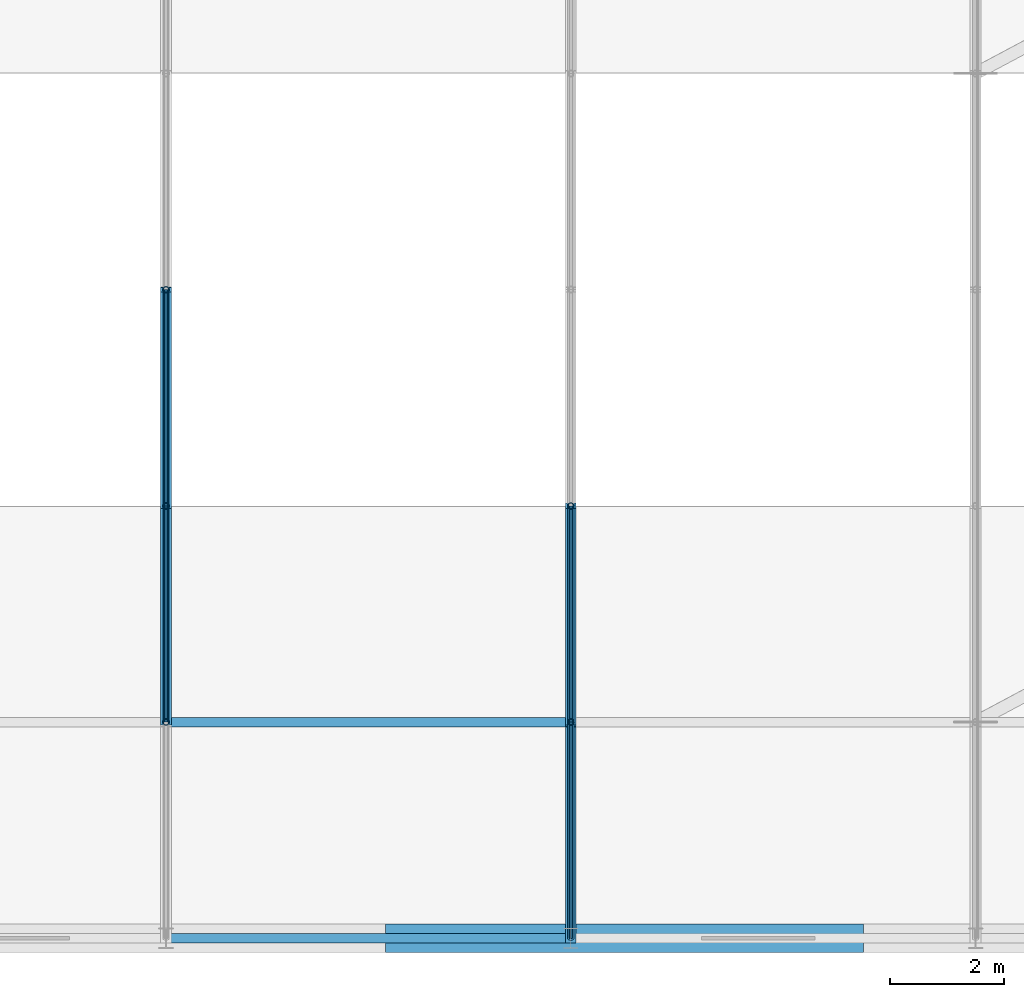
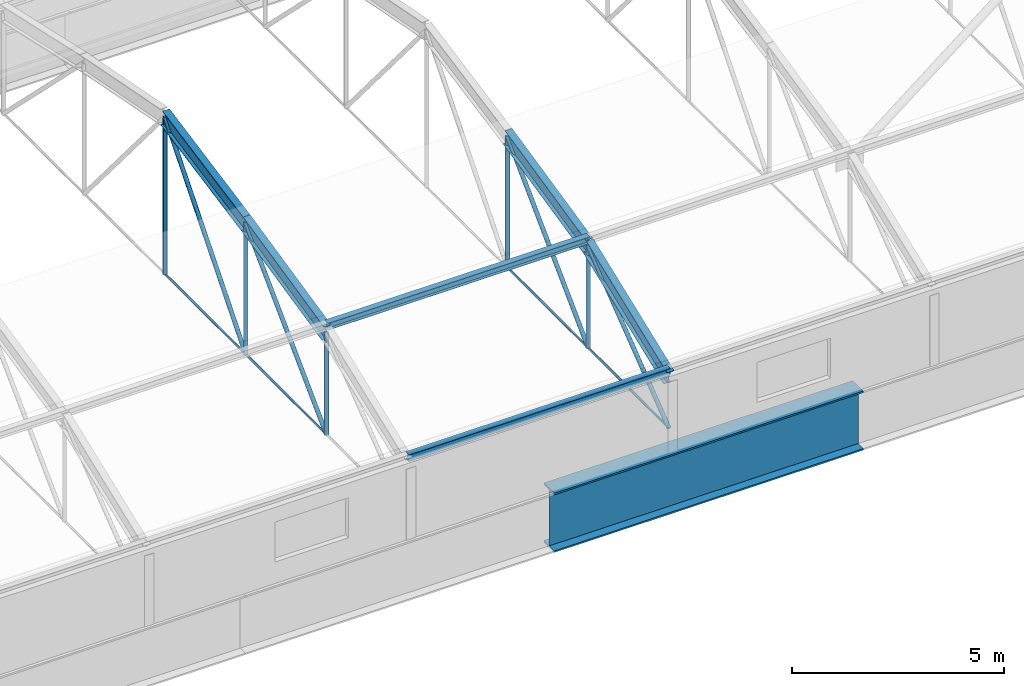
# One storey, part 12 of 53: 15 members, 5 beams.
"""IFC4 building model written with IfcOpenShell, lengths in metres."""

from ifc_helpers import new_model, si_unit, direction, frame, origin_with_axes, origin_2d_with_axis, place, context, subcontext, project, spatial, circle, hollow_circle, i_section, extrude, material, material_profile, profile_set, type_object, element, save


model = new_model("IFC4")

# Units and contexts
model_context = context("Model", 3, precision=1e-05, world=origin_with_axes(), true_north=direction((0.0, 1.0)))
body_context = subcontext(model_context, "Body", "Model", "MODEL_VIEW")
ifc_project = project(units=[si_unit("LENGTHUNIT", "METRE"), si_unit("AREAUNIT", "SQUARE_METRE"), si_unit("VOLUMEUNIT", "CUBIC_METRE"), si_unit("PLANEANGLEUNIT", "RADIAN"), si_unit("MASSUNIT", "GRAM", prefix="KILO"), si_unit("THERMODYNAMICTEMPERATUREUNIT", "KELVIN")], contexts=[model_context])

# Site, building, storey
site_placement = place(None, origin_with_axes())
site = spatial("IfcSite", under=ifc_project, at=site_placement, CompositionType="ELEMENT")
building_placement = place(site_placement, origin_with_axes())
building = spatial("IfcBuilding", under=site, at=building_placement, Name="Montbau Bow Law Courts", CompositionType="ELEMENT")
storey_placement = place(building_placement, frame((0.0, 0.0, 39.0), z_axis=(0.0, 0.0, 1.0), x_axis=(1.0, 0.0, 0.0)))
storey = spatial("IfcBuildingStorey", under=building, at=storey_placement, Name="L08", CompositionType="ELEMENT", Elevation=39.0)

# Beams
ifc_material = material(Name="Steel CSA G40.21 Grade 350WT (350 MPa)", Category="steel")
ifc_material_profile_1 = material_profile(ifc_material, i_section(OverallWidth=0.191, OverallDepth=0.46, WebThickness=0.0099, FlangeThickness=0.016, at=origin_2d_with_axis()), Name="W460X82", Category="Main", Priority=0)
ifc_profile_set_1 = profile_set([ifc_material_profile_1], Name="Steel CSA G40.21 Grade 350WT (350 MPa)")
beam_type_1 = type_object("IfcBeamType", Name="B-ARC-02", PredefinedType="USERDEFINED", material=ifc_profile_set_1)
beam_1_placement = place(None, frame((76.543, 42.8, 42.178), z_axis=(0.0, 0.97610237, 0.217311212), x_axis=(-1.0, 0.0, 0.0)))
element("IfcBeam", 1, at=beam_1_placement, inside=storey, type_object=beam_type_1, Name="Barrel vault roof truss arch rib V3-116", ObjectType="ARCH_RIB", PredefinedType="USERDEFINED", context=body_context, shape_type="SweptSolid", body=[
    extrude(i_section(OverallWidth=0.191, OverallDepth=0.46, WebThickness=0.0099, FlangeThickness=0.016, at=origin_2d_with_axis()), origin_with_axes(), (0.0, 0.0, 1.0), 3.893034),
])
beam_2_placement = place(None, frame((76.543, 46.6, 43.024), z_axis=(0.0, 0.981513084, 0.191395051), x_axis=(-1.0, 0.0, 0.0)))
element("IfcBeam", 2, at=beam_2_placement, inside=storey, type_object=beam_type_1, Name="Barrel vault roof truss arch rib V3-117", ObjectType="ARCH_RIB", PredefinedType="USERDEFINED", context=body_context, shape_type="SweptSolid", body=[
    extrude(i_section(OverallWidth=0.191, OverallDepth=0.46, WebThickness=0.0099, FlangeThickness=0.016, at=origin_2d_with_axis()), origin_with_axes(), (0.0, 0.0, 1.0), 3.871573),
])
beam_3_placement = place(None, frame((83.657, 39.0, 40.7), z_axis=(0.0, 0.931986259, 0.362493603), x_axis=(-1.0, 0.0, 0.0)))
element("IfcBeam", 3, at=beam_3_placement, inside=storey, type_object=beam_type_1, Name="Barrel vault roof truss arch rib V3-121", ObjectType="ARCH_RIB", PredefinedType="USERDEFINED", context=body_context, shape_type="SweptSolid", body=[
    extrude(i_section(OverallWidth=0.191, OverallDepth=0.46, WebThickness=0.0099, FlangeThickness=0.016, at=origin_2d_with_axis()), origin_with_axes(), (0.0, 0.0, 1.0), 4.077313),
])
beam_4_placement = place(None, frame((83.657, 42.8, 42.178), z_axis=(0.0, 0.97610237, 0.217311212), x_axis=(-1.0, 0.0, 0.0)))
element("IfcBeam", 4, at=beam_4_placement, inside=storey, type_object=beam_type_1, Name="Barrel vault roof truss arch rib V3-122", ObjectType="ARCH_RIB", PredefinedType="USERDEFINED", context=body_context, shape_type="SweptSolid", body=[
    extrude(i_section(OverallWidth=0.191, OverallDepth=0.46, WebThickness=0.0099, FlangeThickness=0.016, at=origin_2d_with_axis()), origin_with_axes(), (0.0, 0.0, 1.0), 3.893034),
])
ifc_material_profile_2 = material_profile(ifc_material, i_section(OverallWidth=0.5, OverallDepth=1.7, WebThickness=0.02, FlangeThickness=0.045, at=origin_2d_with_axis()), Name="WWF1700X480", Category="Main", Priority=0)
ifc_profile_set_2 = profile_set([ifc_material_profile_2], Name="Steel CSA G40.21 Grade 350WT (350 MPa)")
beam_type_2 = type_object("IfcBeamType", Name="B-TRG-02", PredefinedType="USERDEFINED", material=ifc_profile_set_2)
beam_5_placement = place(None, frame((80.4, 39.0, 37.81), z_axis=(1.0, 0.0, 0.0), x_axis=(0.0, 1.0, 0.0)))
element("IfcBeam", 5, at=beam_5_placement, inside=storey, type_object=beam_type_2, Name="VRG-L08-S0022:bm2_0025", ObjectType="GIRDER", PredefinedType="USERDEFINED", context=body_context, shape_type="SweptSolid", body=[
    extrude(i_section(OverallWidth=0.5, OverallDepth=1.7, WebThickness=0.02, FlangeThickness=0.045, at=origin_2d_with_axis()), origin_with_axes(), (0.0, 0.0, 1.0), 8.4),
])

# Members
ifc_material_profile_3 = material_profile(ifc_material, i_section(OverallWidth=0.165, OverallDepth=0.201, WebThickness=0.0062, FlangeThickness=0.0102, at=origin_2d_with_axis()), Name="W200X36", Category="Main", Priority=0)
ifc_profile_set_3 = profile_set([ifc_material_profile_3], Name="Steel CSA G40.21 Grade 350WT (350 MPa)")
member_type_1 = type_object("IfcMemberType", Name="M-PUR-02", PredefinedType="PURLIN", material=ifc_profile_set_3)
for number, where, z_axis, x_axis, name in (
    (6, (76.543, 39.0, 40.91), (1.0, 0.0, 0.0), (0.0, 1.0, 0.0), "Barrel vault roof truss purlin V3-120"),
    (7, (76.543, 42.8, 42.388), (1.0, 0.0, 0.0), (0.0, 1.0, 0.0), "Barrel vault roof truss purlin V3-121"),
):
    element("IfcMember", number, at=place(None, frame(where, z_axis=z_axis, x_axis=x_axis)), inside=storey, type_object=member_type_1, Name=name, PredefinedType="PURLIN", context=body_context, shape_type="SweptSolid", body=[
        extrude(i_section(OverallWidth=0.165, OverallDepth=0.201, WebThickness=0.0062, FlangeThickness=0.0102, at=origin_2d_with_axis()), origin_with_axes(), (0.0, 0.0, 1.0), 7.114),
    ])
ifc_material_profile_4 = material_profile(ifc_material, hollow_circle(Radius=0.057, WallThickness=0.008, at=origin_2d_with_axis()), Name="HSS114X8.0", Category="Main", Priority=0)
ifc_profile_set_4 = profile_set([ifc_material_profile_4], Name="Steel CSA G40.21 Grade 350WT (350 MPa)")
member_type_2 = type_object("IfcMemberType", Name="M-STR-03", PredefinedType="STRUT", material=ifc_profile_set_4)
member_1_placement = place(None, frame((76.543, 42.8, 39.25), z_axis=(0.0, 0.709529954, 0.704675276), x_axis=(-1.0, 0.0, 0.0)))
element("IfcMember", 8, at=member_1_placement, inside=storey, type_object=member_type_2, Name="Barrel vault roof truss web diagonal V3-04-2", PredefinedType="STRUT", context=body_context, shape_type="SweptSolid", body=[
    extrude(hollow_circle(Radius=0.057, WallThickness=0.008, at=origin_2d_with_axis()), origin_with_axes(), (0.0, 0.0, 1.0), 5.355658),
])
member_2_placement = place(None, frame((76.543, 46.6, 39.25), z_axis=(0.0, 0.643926993, 0.765086941), x_axis=(-1.0, 0.0, 0.0)))
element("IfcMember", 9, at=member_2_placement, inside=storey, type_object=member_type_2, Name="Barrel vault roof truss web diagonal V3-04-3", PredefinedType="STRUT", context=body_context, shape_type="SweptSolid", body=[
    extrude(hollow_circle(Radius=0.057, WallThickness=0.008, at=origin_2d_with_axis()), origin_with_axes(), (0.0, 0.0, 1.0), 5.90129),
])
member_3_placement = place(None, frame((76.543, 42.8, 39.25), z_axis=(0.0, 0.0, 1.0), x_axis=(1.0, 0.0, 0.0)))
element("IfcMember", 10, at=member_3_placement, inside=storey, type_object=member_type_2, Name="Barrel vault roof truss web post V3-04-1", PredefinedType="STRUT", context=body_context, shape_type="SweptSolid", body=[
    extrude(hollow_circle(Radius=0.057, WallThickness=0.008, at=origin_2d_with_axis()), origin_with_axes(), (0.0, 0.0, 1.0), 2.928),
])
member_4_placement = place(None, frame((76.543, 46.6, 39.25), z_axis=(0.0, 0.0, 1.0), x_axis=(1.0, 0.0, 0.0)))
element("IfcMember", 11, at=member_4_placement, inside=storey, type_object=member_type_2, Name="Barrel vault roof truss web post V3-04-2", PredefinedType="STRUT", context=body_context, shape_type="SweptSolid", body=[
    extrude(hollow_circle(Radius=0.057, WallThickness=0.008, at=origin_2d_with_axis()), origin_with_axes(), (0.0, 0.0, 1.0), 3.774),
])
member_5_placement = place(None, frame((76.543, 50.4, 39.25), z_axis=(0.0, 0.0, 1.0), x_axis=(1.0, 0.0, 0.0)))
element("IfcMember", 12, at=member_5_placement, inside=storey, type_object=member_type_2, Name="Barrel vault roof truss web post V3-04-3", PredefinedType="STRUT", context=body_context, shape_type="SweptSolid", body=[
    extrude(hollow_circle(Radius=0.057, WallThickness=0.008, at=origin_2d_with_axis()), origin_with_axes(), (0.0, 0.0, 1.0), 4.515),
])
member_6_placement = place(None, frame((83.657, 39.0, 39.25), z_axis=(0.0, 0.792127775, 0.610355296), x_axis=(-1.0, 0.0, 0.0)))
element("IfcMember", 13, at=member_6_placement, inside=storey, type_object=member_type_2, Name="Barrel vault roof truss web diagonal V3-05-1", PredefinedType="STRUT", context=body_context, shape_type="SweptSolid", body=[
    extrude(hollow_circle(Radius=0.057, WallThickness=0.008, at=origin_2d_with_axis()), origin_with_axes(), (0.0, 0.0, 1.0), 4.797206),
])
member_7_placement = place(None, frame((83.657, 42.8, 39.25), z_axis=(0.0, 0.709529954, 0.704675276), x_axis=(-1.0, 0.0, 0.0)))
element("IfcMember", 14, at=member_7_placement, inside=storey, type_object=member_type_2, Name="Barrel vault roof truss web diagonal V3-05-2", PredefinedType="STRUT", context=body_context, shape_type="SweptSolid", body=[
    extrude(hollow_circle(Radius=0.057, WallThickness=0.008, at=origin_2d_with_axis()), origin_with_axes(), (0.0, 0.0, 1.0), 5.355658),
])
member_8_placement = place(None, frame((83.657, 42.8, 39.25), z_axis=(0.0, 0.0, 1.0), x_axis=(1.0, 0.0, 0.0)))
element("IfcMember", 15, at=member_8_placement, inside=storey, type_object=member_type_2, Name="Barrel vault roof truss web post V3-05-1", PredefinedType="STRUT", context=body_context, shape_type="SweptSolid", body=[
    extrude(hollow_circle(Radius=0.057, WallThickness=0.008, at=origin_2d_with_axis()), origin_with_axes(), (0.0, 0.0, 1.0), 2.928),
])
member_9_placement = place(None, frame((83.657, 46.6, 39.25), z_axis=(0.0, 0.0, 1.0), x_axis=(1.0, 0.0, 0.0)))
element("IfcMember", 16, at=member_9_placement, inside=storey, type_object=member_type_2, Name="Barrel vault roof truss web post V3-05-2", PredefinedType="STRUT", context=body_context, shape_type="SweptSolid", body=[
    extrude(hollow_circle(Radius=0.057, WallThickness=0.008, at=origin_2d_with_axis()), origin_with_axes(), (0.0, 0.0, 1.0), 3.774),
])
ifc_material_profile_5 = material_profile(ifc_material, circle(Radius=0.032, at=origin_2d_with_axis()), Name="ROD64", Category="Main", Priority=0)
ifc_profile_set_5 = profile_set([ifc_material_profile_5], Name="Steel CSA G40.21 Grade 350WT (350 MPa)")
member_type_3 = type_object("IfcMemberType", Name="M-TIE-02", PredefinedType="USERDEFINED", material=ifc_profile_set_5)
for number, where, z_axis, x_axis, name in (
    (17, (76.543, 42.8, 39.25), (0.0, 1.0, 0.0), (-1.0, 0.0, 0.0), "Barrel vault roof truss tie V3-116"),
    (18, (76.543, 46.6, 39.25), (0.0, 1.0, 0.0), (-1.0, 0.0, 0.0), "Barrel vault roof truss tie V3-117"),
    (19, (83.657, 39.0, 39.25), (0.0, 1.0, 0.0), (-1.0, 0.0, 0.0), "Barrel vault roof truss tie V3-121"),
    (20, (83.657, 42.8, 39.25), (0.0, 1.0, 0.0), (-1.0, 0.0, 0.0), "Barrel vault roof truss tie V3-122"),
):
    element("IfcMember", number, at=place(None, frame(where, z_axis=z_axis, x_axis=x_axis)), inside=storey, type_object=member_type_3, Name=name, ObjectType="TIEBAR", PredefinedType="USERDEFINED", context=body_context, shape_type="SweptSolid", body=[
        extrude(circle(Radius=0.032, at=origin_2d_with_axis()), origin_with_axes(), (0.0, 0.0, 1.0), 3.8),
    ])

save(model, "model.ifc")
